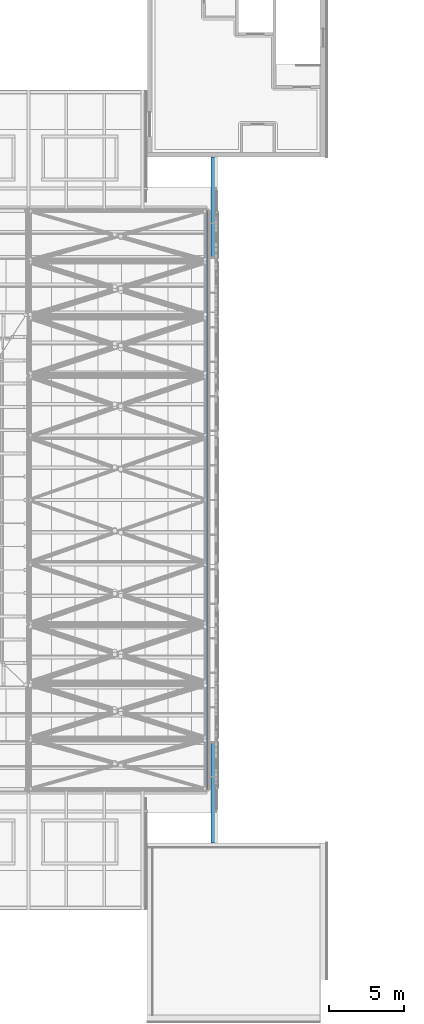
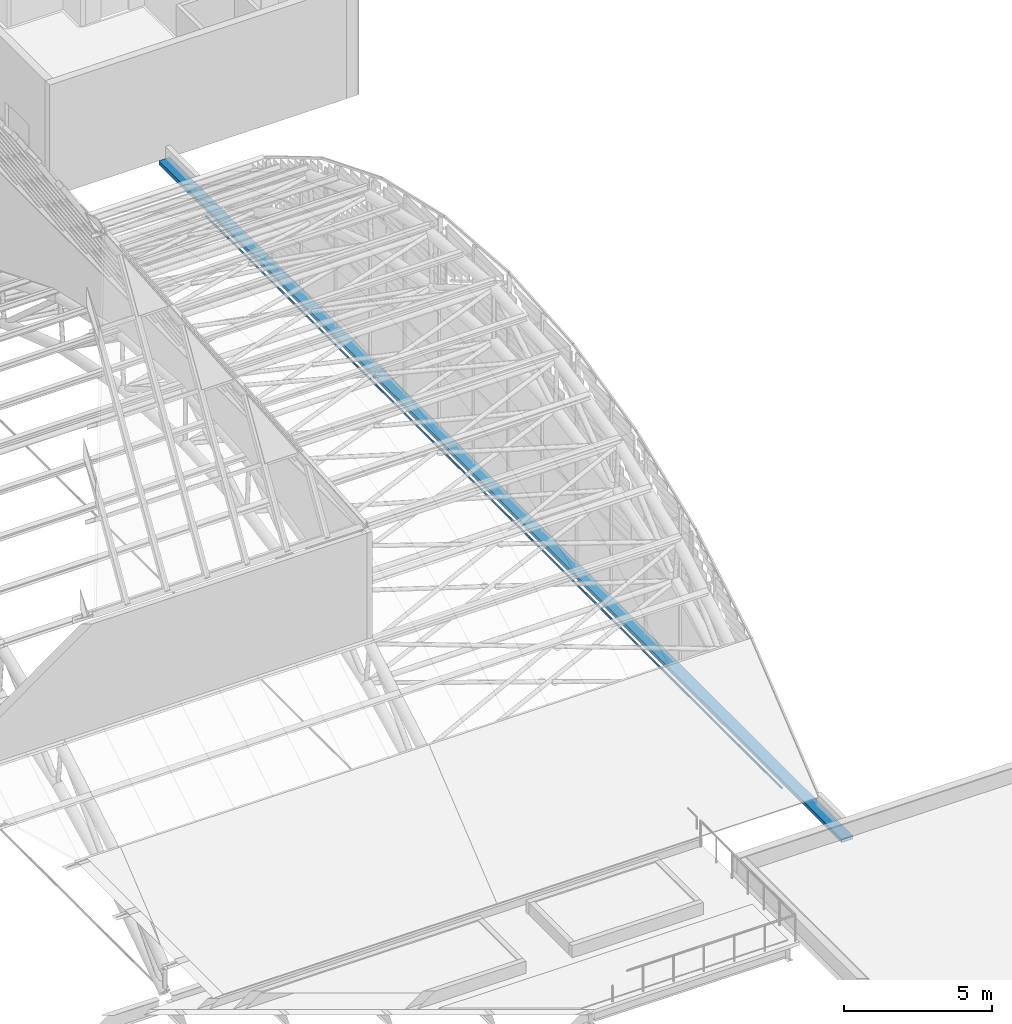
# One storey, part 38 of 110: 2 members.
"""IFC4 building model written with IfcOpenShell, lengths in metres."""

from ifc_helpers import new_model, si_unit, direction, frame, origin, origin_2d, place, context, subcontext, project, spatial, rectangle, circle, extrude, material, material_profile, profile_set, type_object, element, save


model = new_model("IFC4")

# Units and contexts
model_context = context("Model", 3, precision=1e-05, world=origin(), true_north=direction((0.0, 1.0)))
body_context = subcontext(model_context, "Body", "Model", "MODEL_VIEW")
ifc_project = project(units=[si_unit("LENGTHUNIT", "METRE"), si_unit("AREAUNIT", "SQUARE_METRE"), si_unit("VOLUMEUNIT", "CUBIC_METRE"), si_unit("PLANEANGLEUNIT", "RADIAN"), si_unit("MASSUNIT", "GRAM", prefix="KILO")], contexts=[model_context])

# Site, building, storey
site_placement = place(None, origin())
site = spatial("IfcSite", under=ifc_project, at=site_placement, CompositionType="ELEMENT")
building_placement = place(site_placement, origin())
building = spatial("IfcBuilding", under=site, at=building_placement, Name="Windward Yard Aquatics Centre", CompositionType="ELEMENT")
storey_placement = place(building_placement, frame((0.0, 0.0, 22.60009765625)))
storey = spatial("IfcBuildingStorey", under=building, at=storey_placement, Name="L05", CompositionType="ELEMENT", Elevation=22.60009765625)

# Members
ifc_material_1 = material(Name="Aluminium 6063-T6 anodised", Category="aluminium")
ifc_material_profile_1 = material_profile(ifc_material_1, rectangle(XDim=0.43505859375, YDim=0.14990234375, at=origin_2d()), Name="H gable sill beam 435x150")
ifc_profile_set_1 = profile_set([ifc_material_profile_1], Name="Aluminium 6063-T6 anodised")
member_type_1 = type_object("IfcMemberType", Name="H gable sill beam 435x150", PredefinedType="USERDEFINED", material=ifc_profile_set_1)
member_1_placement = place(storey_placement, frame((144.46240234375, 38.0, -0.0751953125), z_axis=(0.0, 1.0, 0.0), x_axis=(-1.0, 0.0, 0.0)))
element("IfcMember", 1, at=member_1_placement, inside=storey, type_object=member_type_1, Name="Gable sill beam E", ObjectType="SILL RAIL", PredefinedType="USERDEFINED", context=body_context, shape_type="SweptSolid", body=[
    extrude(rectangle(XDim=0.43505859375, YDim=0.14990234375, at=origin_2d()), origin(), (0.0, 0.0, 1.0), 46.0),
])
ifc_material_2 = material(Name="Steel ASTM A36", Category="steel")
ifc_material_profile_2 = material_profile(ifc_material_2, circle(Radius=0.0380859375, at=origin_2d()), Name="ROD76")
ifc_profile_set_2 = profile_set([ifc_material_profile_2], Name="Steel ASTM A36")
member_type_2 = type_object("IfcMemberType", Name="H tie rod ROD76", PredefinedType="STRUT", material=ifc_profile_set_2)
member_2_placement = place(storey_placement, frame((144.0, 41.60009765625, 0.0), z_axis=(0.0, 1.0, 0.0), x_axis=(-1.0, 0.0, 0.0)))
element("IfcMember", 2, at=member_2_placement, inside=storey, type_object=member_type_2, Name="H.AT.8.TR", PredefinedType="STRUT", context=body_context, shape_type="SweptSolid", body=[
    extrude(circle(Radius=0.0380859375, at=origin_2d()), origin(), (0.0, 0.0, 1.0), 38.7998046875),
])

save(model, "model.ifc")
